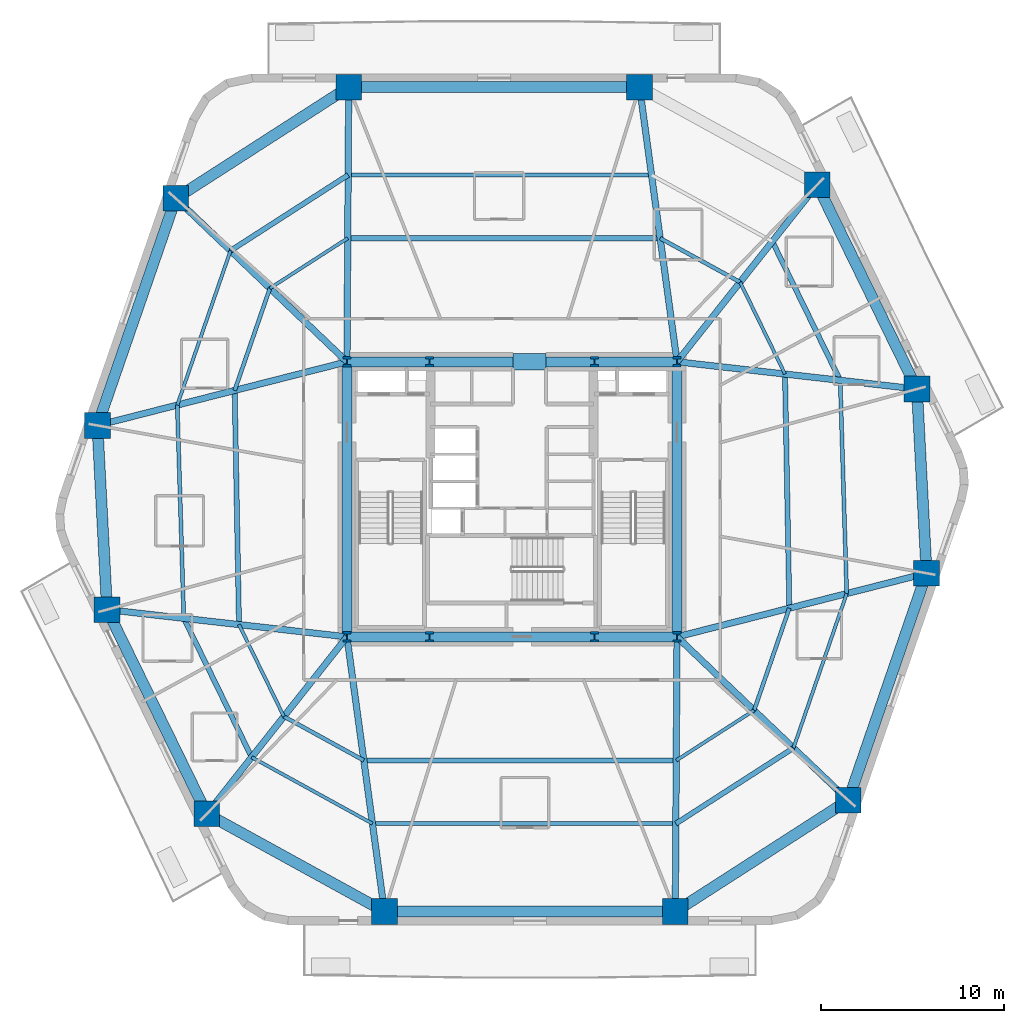
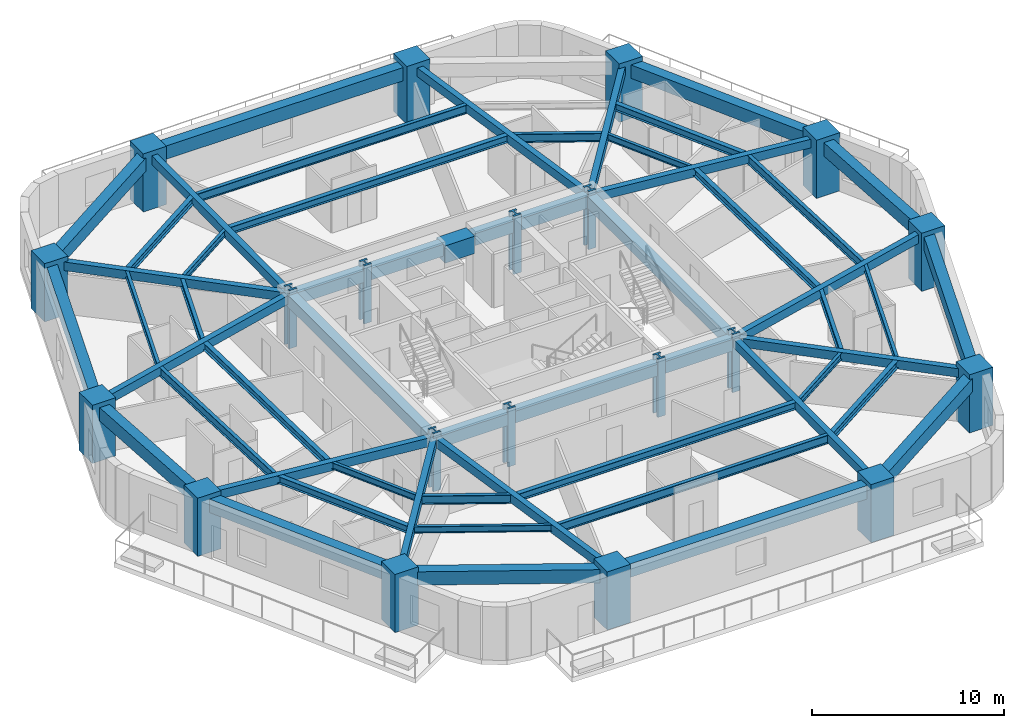
# One storey, part 1 of 9: 55 beams, 20 columns.
"""IFC4 building model written with IfcOpenShell, lengths in metres."""

import ifcopenshell
import ifcopenshell.guid

model = None  # the IFC model being written
_history = None  # IfcOwnerHistory: only IFC2X3 demands one
_inside = {}  # id of a spatial element -> (the spatial element, [elements in it])
_under = {}  # id of a project, library or spatial element -> (it, [spatial elements below it])
_declared = {}  # id of a project -> (the project, [libraries it declares])
_typed = {}  # id of a type object -> (the type object, [elements of that type])
_made_of = {}  # id of a material, layer set ... -> (it, [elements and type objects made of it])


def new_model(schema):
    """Start an empty IFC model of exactly this schema.

    Asked for "IFC4X3", IfcOpenShell would pick the latest addendum, in which some entities
    have other attributes; the version numbers below select the first issue.
    IFC2X3 requires an IfcOwnerHistory on every rooted entity: one is made here for all.
    """
    global model, _history
    if schema == "IFC4X3":
        model = ifcopenshell.file(schema_version=(4, 3, 0, 0))
    else:
        model = ifcopenshell.file(schema=schema)
    _inside.clear()
    _under.clear()
    _declared.clear()
    _typed.clear()
    _made_of.clear()
    _history = None
    if model.schema == "IFC2X3":
        org = make("IfcOrganization", Name="unknown")
        user = make(
            "IfcPersonAndOrganization",
            ThePerson=make("IfcPerson", FamilyName="unknown"),
            TheOrganization=org,
        )
        app = make(
            "IfcApplication",
            ApplicationDeveloper=org,
            Version="unknown",
            ApplicationFullName="unknown",
            ApplicationIdentifier="unknown",
        )
        _history = make(
            "IfcOwnerHistory",
            OwningUser=user,
            OwningApplication=app,
            ChangeAction="ADDED",
            CreationDate=0,
        )
    return model


def make(cls, **values):
    """One entity of the class cls with the attributes given. An attribute that is None is left unset."""
    return model.create_entity(
        cls, **{name: value for name, value in values.items() if value is not None}
    )


def rooted(cls, **values):
    """An entity with a GlobalId (a new one), such as an element, a storey or a relation."""
    return make(cls, GlobalId=ifcopenshell.guid.new(), OwnerHistory=_history, **values)


def si_unit(unit_type, name, prefix=None):
    """IfcSIUnit, for example si_unit("LENGTHUNIT", "METRE", prefix="MILLI")."""
    return make("IfcSIUnit", UnitType=unit_type, Prefix=prefix, Name=name)


def assignment(units):
    """IfcUnitAssignment: the units of a project."""
    return None if units is None else make("IfcUnitAssignment", Units=units)


def point(xyz):
    """IfcCartesianPoint."""
    return None if xyz is None else make("IfcCartesianPoint", Coordinates=xyz)


def direction(xyz):
    """IfcDirection."""
    return None if xyz is None else make("IfcDirection", DirectionRatios=xyz)


def frame(location, z_axis=None, x_axis=None):
    """IfcAxis2Placement3D, a coordinate frame: its origin and axes. An axis left out is left unset."""
    return make(
        "IfcAxis2Placement3D",
        Location=point(location),
        Axis=direction(z_axis),
        RefDirection=direction(x_axis),
    )


def frame_2d(location, x_axis=None):
    """IfcAxis2Placement2D, a coordinate frame in the plane: its origin and x axis."""
    return make(
        "IfcAxis2Placement2D", Location=point(location), RefDirection=direction(x_axis)
    )


def origin():
    """The frame at (0, 0, 0) with its axes left unset."""
    return frame((0.0, 0.0, 0.0))


def origin_2d():
    """The frame at (0, 0) in the plane with its x axis left unset."""
    return frame_2d((0.0, 0.0))


def place(relative_to, where):
    """IfcLocalPlacement: puts the frame where relative to a parent placement (None: the world)."""
    return make(
        "IfcLocalPlacement", PlacementRelTo=relative_to, RelativePlacement=where
    )


def context(
    kind, dimensions, precision=None, world=None, true_north=None, identifier=None
):
    """IfcGeometricRepresentationContext, for example the 3D "Model" context."""
    return make(
        "IfcGeometricRepresentationContext",
        ContextIdentifier=identifier,
        ContextType=kind,
        CoordinateSpaceDimension=dimensions,
        Precision=precision,
        WorldCoordinateSystem=world,
        TrueNorth=true_north,
    )


def subcontext(parent, identifier, kind, view, scale=None):
    """IfcGeometricRepresentationSubContext, for example "Body" below "Model"."""
    return make(
        "IfcGeometricRepresentationSubContext",
        ContextIdentifier=identifier,
        ContextType=kind,
        ParentContext=parent,
        TargetScale=scale,
        TargetView=view,
    )


def project(units=None, contexts=None):
    """IfcProject with its units and contexts."""
    return rooted(
        "IfcProject",
        Name="project",
        RepresentationContexts=contexts,
        UnitsInContext=assignment(units),
    )


def spatial(cls, under=None, at=None, **own):
    """A site, building, storey or space (cls), placed at a placement, below another one or the project."""
    s = rooted(cls, ObjectPlacement=at, **own)
    if under is not None:
        _under.setdefault(under.id(), (under, []))[1].append(s)
    return s


def profile(cls, at=None, kind="AREA", **sizes):
    """A parametric profile (cls). Its sizes go by their IFC names, for example OverallWidth=200.0."""
    return make(cls, ProfileType=kind, Position=at, **sizes)


def rectangle(**sizes):
    """IfcRectangleProfileDef."""
    return profile("IfcRectangleProfileDef", **sizes)


def i_section(**sizes):
    """IfcIShapeProfileDef."""
    return profile("IfcIShapeProfileDef", **sizes)


def extrude(swept, where, along, depth):
    """IfcExtrudedAreaSolid: the profile swept, set in the frame where, extruded along a direction by depth."""
    return make(
        "IfcExtrudedAreaSolid",
        SweptArea=swept,
        Position=where,
        ExtrudedDirection=direction(along),
        Depth=depth,
    )


def shape(context_of_items, identifier, shape_type, items):
    """IfcShapeRepresentation: the items that make up one representation, for example the "Body"."""
    return make(
        "IfcShapeRepresentation",
        ContextOfItems=context_of_items,
        RepresentationIdentifier=identifier,
        RepresentationType=shape_type,
        Items=items,
    )


def material(Name=None, Category=None):
    """IfcMaterial."""
    return make("IfcMaterial", Name=Name, Category=Category)


def material_profile(
    of_material, cross_section, Name=None, Category=None, Priority=None
):
    """IfcMaterialProfile: a cross section and its material."""
    return make(
        "IfcMaterialProfile",
        Name=Name,
        Material=of_material,
        Profile=cross_section,
        Priority=Priority,
        Category=Category,
    )


def profile_set(profiles, Name=None, composite=None):
    """IfcMaterialProfileSet."""
    return make(
        "IfcMaterialProfileSet",
        Name=Name,
        MaterialProfiles=profiles,
        CompositeProfile=composite,
    )


def made_of(thing, what):
    """Note that an element or type object is made of a material, layer set ...; save() writes the relation."""
    if what is not None:
        _made_of.setdefault(what.id(), (what, []))[1].append(thing)
    return thing


def type_object(cls, material=None, **own):
    """A type object (cls), such as IfcWallType, which elements share."""
    return made_of(rooted(cls, **own), material)


def element(
    cls,
    number,
    at=None,
    inside=None,
    cuts=None,
    type_object=None,
    material=None,
    context=None,
    identifier="Body",
    shape_type=None,
    held_by="IfcProductDefinitionShape",
    body=None,
    shapes=None,
    **own,
):
    """One element of the class cls, such as IfcWall. Its Tag is "e" and its number.

    at: its placement. inside: the storey or other place that contains it. cuts: it is an
    opening in that element (IfcRelVoidsElement). A single representation is given by context,
    identifier, shape_type and body (its items); several are given by shapes. held_by: the class
    of the entity that holds the representations. save() writes the other relations.
    """
    e = rooted(cls, Tag="e%d" % number, ObjectPlacement=at, **own)
    if body is not None:
        shapes = [shape(context, identifier, shape_type, body)]
    if shapes is not None:
        e.Representation = make(held_by, Representations=shapes)
    if inside is not None:
        _inside.setdefault(inside.id(), (inside, []))[1].append(e)
    if cuts is not None:
        rooted(
            "IfcRelVoidsElement", RelatingBuildingElement=cuts, RelatedOpeningElement=e
        )
    if type_object is not None:
        _typed.setdefault(type_object.id(), (type_object, []))[1].append(e)
    return made_of(e, material)


def aggregate(whole, parts):
    """IfcRelAggregates: a whole, such as a stair, and the parts it consists of."""
    return rooted("IfcRelAggregates", RelatingObject=whole, RelatedObjects=parts)


def save(model, path):
    """Write the relations noted so far, then the file.

    IfcRelAggregates (storeys below a building ...), IfcRelContainedInSpatialStructure (elements
    in a storey), IfcRelDefinesByType, IfcRelAssociatesMaterial and IfcRelDeclares: one each for
    every whole, place, type object, material and project.
    """
    for whole, parts in _under.values():
        aggregate(whole, parts)
    for where, things in _inside.values():
        rooted(
            "IfcRelContainedInSpatialStructure",
            RelatedElements=things,
            RelatingStructure=where,
        )
    for kind, things in _typed.values():
        rooted("IfcRelDefinesByType", RelatedObjects=things, RelatingType=kind)
    for what, things in _made_of.values():
        rooted("IfcRelAssociatesMaterial", RelatedObjects=things, RelatingMaterial=what)
    for by, libraries in _declared.values():
        rooted("IfcRelDeclares", RelatingContext=by, RelatedDefinitions=libraries)
    model.write(path)


model = new_model("IFC4")

# Units and contexts
model_context = context("Model", 3, precision=1e-05, world=origin(), true_north=direction((0.0, 1.0)))
body_context = subcontext(model_context, "Body", "Model", "MODEL_VIEW")
ifc_project = project(units=[si_unit("LENGTHUNIT", "METRE"), si_unit("AREAUNIT", "SQUARE_METRE"), si_unit("VOLUMEUNIT", "CUBIC_METRE"), si_unit("PLANEANGLEUNIT", "RADIAN"), si_unit("MASSUNIT", "GRAM", prefix="KILO")], contexts=[model_context])

# Site, building, storey
site_placement = place(None, origin())
site = spatial("IfcSite", under=ifc_project, at=site_placement, CompositionType="ELEMENT")
building_placement = place(site_placement, origin())
building = spatial("IfcBuilding", under=site, at=building_placement, Name="Kilnhurst Terrace Hotel", CompositionType="ELEMENT")
storey_placement = place(building_placement, frame((0.0, 0.0, 60.10009765625)))
storey = spatial("IfcBuildingStorey", under=building, at=storey_placement, Name="L13", CompositionType="ELEMENT", Elevation=60.10009765625)

# Columns
ifc_material_1 = material(Name="Concrete C80/95", Category="concrete")
ifc_material_profile_1 = material_profile(ifc_material_1, rectangle(XDim=1.39990234375, YDim=1.39990234375, at=origin_2d()), Name="RC1400X1400")
ifc_profile_set_1 = profile_set([ifc_material_profile_1], Name="Concrete C80/95")
column_type_1 = type_object("IfcColumnType", Name="COL-RC-1400", PredefinedType="COLUMN", material=ifc_profile_set_1)
for number, where, z_axis, x_axis, name in (
    (1, (-6.955078125, -22.47998046875, 0.0), (0.0, 0.0, 1.0), (1.0, 0.0, 0.0), "L13 Structural Column PC-F11"),
    (2, (8.905029296875, -22.47998046875, 0.0), (0.0, 0.0, 1.0), (1.0, 0.0, 0.0), "L13 Structural Column PC-F12"),
    (3, (18.337890625, -16.410888671875, 0.0), (0.0, 0.0, 1.0), (1.0, 0.0, 0.0), "L13 Structural Column PC-F21"),
    (4, (22.60888671875, -4.029052734375, 0.0), (0.0, 0.0, 1.0), (1.0, 0.0, 0.0), "L13 Structural Column PC-F22"),
    (5, (22.083984375, 6.013916015625, 0.0), (0.0, 0.0, 1.0), (1.0, 0.0, 0.0), "L13 Structural Column PC-F31"),
    (6, (16.64306640625, 17.152099609375, 0.0), (0.0, 0.0, 1.0), (1.0, 0.0, 0.0), "L13 Structural Column PC-F32"),
    (7, (6.955078125, 22.47998046875, 0.0), (0.0, 0.0, 1.0), (1.0, 0.0, 0.0), "L13 Structural Column PC-F41"),
    (8, (-8.905029296875, 22.47998046875, 0.0), (0.0, 0.0, 1.0), (1.0, 0.0, 0.0), "L13 Structural Column PC-F42"),
    (9, (-18.337890625, 16.410888671875, 0.0), (0.0, 0.0, 1.0), (1.0, 0.0, 0.0), "L13 Structural Column PC-F51"),
    (10, (-22.60888671875, 4.029052734375, 0.0), (0.0, 0.0, 1.0), (1.0, 0.0, 0.0), "L13 Structural Column PC-F52"),
    (11, (-22.083984375, -6.013916015625, 0.0), (0.0, 0.0, 1.0), (1.0, 0.0, 0.0), "L13 Structural Column PC-F61"),
    (12, (-16.64306640625, -17.152099609375, 0.0), (0.0, 0.0, 1.0), (1.0, 0.0, 0.0), "L13 Structural Column PC-F62"),
):
    element("IfcColumn", number, at=place(storey_placement, frame(where, z_axis=z_axis, x_axis=x_axis)), inside=storey, type_object=column_type_1, Name=name, PredefinedType="COLUMN", context=body_context, shape_type="SweptSolid", body=[
        extrude(rectangle(XDim=1.39990234375, YDim=1.39990234375, at=origin_2d()), origin(), (0.0, 0.0, 1.0), 3.699951171875),
    ])
ifc_material_2 = material(Name="Steel ASTM A992 Grade 50", Category="steel")
ifc_material_profile_2 = material_profile(ifc_material_2, i_section(OverallWidth=0.454345703125, OverallDepth=0.569091796875, WebThickness=0.077880859375, FlangeThickness=0.124755859375, at=origin_2d()), Name="W14X730")
ifc_profile_set_2 = profile_set([ifc_material_profile_2], Name="Steel ASTM A992 Grade 50")
column_type_2 = type_object("IfcColumnType", Name="COL-STL-W14X730", PredefinedType="COLUMN", material=ifc_profile_set_2)
for number, where, z_axis, x_axis, name in (
    (13, (-9.0, -7.5, 0.0), (0.0, 0.0, 1.0), (1.0, 0.0, 0.0), "L13 Structural Column CC-SW"),
    (14, (-4.5, -7.5, 0.0), (0.0, 0.0, 1.0), (1.0, 0.0, 0.0), "L13 Structural Column CC-SC1"),
    (15, (4.5, -7.5, 0.0), (0.0, 0.0, 1.0), (1.0, 0.0, 0.0), "L13 Structural Column CC-SC2"),
    (16, (9.0, -7.5, 0.0), (0.0, 0.0, 1.0), (1.0, 0.0, 0.0), "L13 Structural Column CC-SE"),
    (17, (9.0, 7.5, 0.0), (0.0, 0.0, 1.0), (1.0, 0.0, 0.0), "L13 Structural Column CC-NE"),
    (18, (4.5, 7.5, 0.0), (0.0, 0.0, 1.0), (1.0, 0.0, 0.0), "L13 Structural Column CC-NC2"),
    (19, (-4.5, 7.5, 0.0), (0.0, 0.0, 1.0), (1.0, 0.0, 0.0), "L13 Structural Column CC-NC1"),
    (20, (-9.0, 7.5, 0.0), (0.0, 0.0, 1.0), (1.0, 0.0, 0.0), "L13 Structural Column CC-NW"),
):
    element("IfcColumn", number, at=place(storey_placement, frame(where, z_axis=z_axis, x_axis=x_axis)), inside=storey, type_object=column_type_2, Name=name, PredefinedType="COLUMN", context=body_context, shape_type="SweptSolid", body=[
        extrude(i_section(OverallWidth=0.454345703125, OverallDepth=0.569091796875, WebThickness=0.077880859375, FlangeThickness=0.124755859375, at=origin_2d()), origin(), (0.0, 0.0, 1.0), 3.699951171875),
    ])

# Beams
ifc_material_3 = material(Name="Concrete C50/60", Category="concrete")
ifc_material_profile_3 = material_profile(ifc_material_3, rectangle(XDim=0.35009765625, YDim=0.550048828125, at=origin_2d()), Name="RC350X550")
ifc_profile_set_3 = profile_set([ifc_material_profile_3], Name="Concrete C50/60")
beam_type_1 = type_object("IfcBeamType", Name="BM-RAD-350X550", PredefinedType="BEAM", material=ifc_profile_set_3)
beam_1_placement = place(storey_placement, frame((-9.0, -7.5, 3.125), z_axis=(0.13525588246, -0.990810701527, 0.0), x_axis=(0.990810701527, 0.13525588246, 0.0)))
element("IfcBeam", 21, at=beam_1_placement, inside=storey, type_object=beam_type_1, Name="L13 Radial Floor Beam 1", PredefinedType="BEAM", context=body_context, shape_type="SweptSolid", body=[
    extrude(rectangle(XDim=0.35009765625, YDim=0.550048828125, at=origin_2d()), origin(), (0.0, 0.0, 1.0), 15.118896484375),
])
beam_2_placement = place(storey_placement, frame((9.0, -7.5, 3.125), z_axis=(-0.006339714179, -0.99997990381, 0.0), x_axis=(0.99997990381, -0.006339714179, 0.0)))
element("IfcBeam", 22, at=beam_2_placement, inside=storey, type_object=beam_type_1, Name="L13 Radial Floor Beam 2", PredefinedType="BEAM", context=body_context, shape_type="SweptSolid", body=[
    extrude(rectangle(XDim=0.35009765625, YDim=0.550048828125, at=origin_2d()), origin(), (0.0, 0.0, 1.0), 14.980224609375),
])
beam_3_placement = place(storey_placement, frame((9.0, -7.5, 3.125), z_axis=(0.723454302813, -0.690372270403, 0.0), x_axis=(0.690372270403, 0.723454302813, 0.0)))
element("IfcBeam", 23, at=beam_3_placement, inside=storey, type_object=beam_type_1, Name="L13 Radial Floor Beam 3", PredefinedType="BEAM", context=body_context, shape_type="SweptSolid", body=[
    extrude(rectangle(XDim=0.35009765625, YDim=0.550048828125, at=origin_2d()), origin(), (0.0, 0.0, 1.0), 12.907470703125),
])
beam_4_placement = place(storey_placement, frame((9.0, -7.5, 3.125), z_axis=(0.968980179812, 0.247138445273, 0.0), x_axis=(-0.247138445273, 0.968980179812, 0.0)))
element("IfcBeam", 24, at=beam_4_placement, inside=storey, type_object=beam_type_1, Name="L13 Radial Floor Beam 4", PredefinedType="BEAM", context=body_context, shape_type="SweptSolid", body=[
    extrude(rectangle(XDim=0.35009765625, YDim=0.550048828125, at=origin_2d()), origin(), (0.0, 0.0, 1.0), 14.04443359375),
])
beam_5_placement = place(storey_placement, frame((9.0, 7.5, 3.125), z_axis=(0.993611493249, -0.112854776075, 0.0), x_axis=(0.112854776075, 0.993611493249, 0.0)))
element("IfcBeam", 25, at=beam_5_placement, inside=storey, type_object=beam_type_1, Name="L13 Radial Floor Beam 5", PredefinedType="BEAM", context=body_context, shape_type="SweptSolid", body=[
    extrude(rectangle(XDim=0.35009765625, YDim=0.550048828125, at=origin_2d()), origin(), (0.0, 0.0, 1.0), 13.168212890625),
])
beam_6_placement = place(storey_placement, frame((9.0, 7.5, 3.125), z_axis=(0.62079385707, 0.783973843329, 0.0), x_axis=(-0.783973843329, 0.62079385707, 0.0)))
element("IfcBeam", 26, at=beam_6_placement, inside=storey, type_object=beam_type_1, Name="L13 Radial Floor Beam 6", PredefinedType="BEAM", context=body_context, shape_type="SweptSolid", body=[
    extrude(rectangle(XDim=0.35009765625, YDim=0.550048828125, at=origin_2d()), origin(), (0.0, 0.0, 1.0), 12.311767578125),
])
beam_7_placement = place(storey_placement, frame((9.0, 7.5, 3.125), z_axis=(-0.13525588246, 0.990810701527, 0.0), x_axis=(-0.990810701527, -0.13525588246, 0.0)))
element("IfcBeam", 27, at=beam_7_placement, inside=storey, type_object=beam_type_1, Name="L13 Radial Floor Beam 7", PredefinedType="BEAM", context=body_context, shape_type="SweptSolid", body=[
    extrude(rectangle(XDim=0.35009765625, YDim=0.550048828125, at=origin_2d()), origin(), (0.0, 0.0, 1.0), 15.118896484375),
])
beam_8_placement = place(storey_placement, frame((-9.0, 7.5, 3.125), z_axis=(0.006339714179, 0.99997990381, 0.0), x_axis=(-0.99997990381, 0.006339714179, 0.0)))
element("IfcBeam", 28, at=beam_8_placement, inside=storey, type_object=beam_type_1, Name="L13 Radial Floor Beam 8", PredefinedType="BEAM", context=body_context, shape_type="SweptSolid", body=[
    extrude(rectangle(XDim=0.35009765625, YDim=0.550048828125, at=origin_2d()), origin(), (0.0, 0.0, 1.0), 14.980224609375),
])
beam_9_placement = place(storey_placement, frame((-9.0, 7.5, 3.125), z_axis=(-0.723454302813, 0.690372270403, 0.0), x_axis=(-0.690372270403, -0.723454302813, 0.0)))
element("IfcBeam", 29, at=beam_9_placement, inside=storey, type_object=beam_type_1, Name="L13 Radial Floor Beam 9", PredefinedType="BEAM", context=body_context, shape_type="SweptSolid", body=[
    extrude(rectangle(XDim=0.35009765625, YDim=0.550048828125, at=origin_2d()), origin(), (0.0, 0.0, 1.0), 12.907470703125),
])
beam_10_placement = place(storey_placement, frame((-9.0, 7.5, 3.125), z_axis=(-0.968980179812, -0.247138445273, 0.0), x_axis=(0.247138445273, -0.968980179812, 0.0)))
element("IfcBeam", 30, at=beam_10_placement, inside=storey, type_object=beam_type_1, Name="L13 Radial Floor Beam 10", PredefinedType="BEAM", context=body_context, shape_type="SweptSolid", body=[
    extrude(rectangle(XDim=0.35009765625, YDim=0.550048828125, at=origin_2d()), origin(), (0.0, 0.0, 1.0), 14.04443359375),
])
beam_11_placement = place(storey_placement, frame((-9.0, -7.5, 3.125), z_axis=(-0.993611493249, 0.112854776075, 0.0), x_axis=(-0.112854776075, -0.993611493249, 0.0)))
element("IfcBeam", 31, at=beam_11_placement, inside=storey, type_object=beam_type_1, Name="L13 Radial Floor Beam 11", PredefinedType="BEAM", context=body_context, shape_type="SweptSolid", body=[
    extrude(rectangle(XDim=0.35009765625, YDim=0.550048828125, at=origin_2d()), origin(), (0.0, 0.0, 1.0), 13.168212890625),
])
beam_12_placement = place(storey_placement, frame((-9.0, -7.5, 3.125), z_axis=(-0.62079385707, -0.783973843329, 0.0), x_axis=(0.783973843329, -0.62079385707, 0.0)))
element("IfcBeam", 32, at=beam_12_placement, inside=storey, type_object=beam_type_1, Name="L13 Radial Floor Beam 12", PredefinedType="BEAM", context=body_context, shape_type="SweptSolid", body=[
    extrude(rectangle(XDim=0.35009765625, YDim=0.550048828125, at=origin_2d()), origin(), (0.0, 0.0, 1.0), 12.311767578125),
])
ifc_material_profile_4 = material_profile(ifc_material_3, rectangle(XDim=0.550048828125, YDim=0.75, at=origin_2d()), Name="RC550X750")
ifc_profile_set_4 = profile_set([ifc_material_profile_4], Name="Concrete C50/60")
beam_type_2 = type_object("IfcBeamType", Name="BM-SPN-550X750", PredefinedType="SPANDREL", material=ifc_profile_set_4)
beam_13_placement = place(storey_placement, frame((-9.0, 7.5, 3.02490234375), z_axis=(1.0, 0.0, 0.0), x_axis=(0.0, 1.0, 0.0)))
element("IfcBeam", 33, at=beam_13_placement, inside=storey, type_object=beam_type_2, Name="L13 Core Tie Beam CC-NW to CC-NC1", PredefinedType="SPANDREL", context=body_context, shape_type="SweptSolid", body=[
    extrude(rectangle(XDim=0.550048828125, YDim=0.75, at=origin_2d()), origin(), (0.0, 0.0, 1.0), 4.5),
])
beam_14_placement = place(storey_placement, frame((-4.5, 7.5, 3.02490234375), z_axis=(1.0, 0.0, 0.0), x_axis=(0.0, 1.0, 0.0)))
element("IfcBeam", 34, at=beam_14_placement, inside=storey, type_object=beam_type_2, Name="L13 Core Tie Beam CC-NC1 to CC-NC2", PredefinedType="SPANDREL", context=body_context, shape_type="SweptSolid", body=[
    extrude(rectangle(XDim=0.550048828125, YDim=0.75, at=origin_2d()), origin(), (0.0, 0.0, 1.0), 9.0),
])
for number, where, z_axis, x_axis, name in (
    (35, (4.5, 7.5, 3.02490234375), (1.0, 0.0, 0.0), (0.0, 1.0, 0.0), "L13 Core Tie Beam CC-NC2 to CC-NE"),
    (36, (-9.0, -7.5, 3.02490234375), (1.0, 0.0, 0.0), (0.0, 1.0, 0.0), "L13 Core Tie Beam CC-SW to CC-SC1"),
):
    element("IfcBeam", number, at=place(storey_placement, frame(where, z_axis=z_axis, x_axis=x_axis)), inside=storey, type_object=beam_type_2, Name=name, PredefinedType="SPANDREL", context=body_context, shape_type="SweptSolid", body=[
        extrude(rectangle(XDim=0.550048828125, YDim=0.75, at=origin_2d()), origin(), (0.0, 0.0, 1.0), 4.5),
    ])
beam_15_placement = place(storey_placement, frame((-4.5, -7.5, 3.02490234375), z_axis=(1.0, 0.0, 0.0), x_axis=(0.0, 1.0, 0.0)))
element("IfcBeam", 37, at=beam_15_placement, inside=storey, type_object=beam_type_2, Name="L13 Core Tie Beam CC-SC1 to CC-SC2", PredefinedType="SPANDREL", context=body_context, shape_type="SweptSolid", body=[
    extrude(rectangle(XDim=0.550048828125, YDim=0.75, at=origin_2d()), origin(), (0.0, 0.0, 1.0), 9.0),
])
beam_16_placement = place(storey_placement, frame((4.5, -7.5, 3.02490234375), z_axis=(1.0, 0.0, 0.0), x_axis=(0.0, 1.0, 0.0)))
element("IfcBeam", 38, at=beam_16_placement, inside=storey, type_object=beam_type_2, Name="L13 Core Tie Beam CC-SC2 to CC-SE", PredefinedType="SPANDREL", context=body_context, shape_type="SweptSolid", body=[
    extrude(rectangle(XDim=0.550048828125, YDim=0.75, at=origin_2d()), origin(), (0.0, 0.0, 1.0), 4.5),
])
for number, where, z_axis, x_axis, name in (
    (39, (-9.0, -7.5, 3.02490234375), (0.0, 1.0, 0.0), (-1.0, 0.0, 0.0), "L13 Core Tie Beam CC-SW to CC-NW"),
    (40, (9.0, -7.5, 3.02490234375), (0.0, 1.0, 0.0), (-1.0, 0.0, 0.0), "L13 Core Tie Beam CC-SE to CC-NE"),
):
    element("IfcBeam", number, at=place(storey_placement, frame(where, z_axis=z_axis, x_axis=x_axis)), inside=storey, type_object=beam_type_2, Name=name, PredefinedType="SPANDREL", context=body_context, shape_type="SweptSolid", body=[
        extrude(rectangle(XDim=0.550048828125, YDim=0.75, at=origin_2d()), origin(), (0.0, 0.0, 1.0), 15.0),
    ])
ifc_material_profile_5 = material_profile(ifc_material_3, rectangle(XDim=0.60009765625, YDim=0.85009765625, at=origin_2d()), Name="RC600X850")
ifc_profile_set_5 = profile_set([ifc_material_profile_5], Name="Concrete C50/60")
beam_type_3 = type_object("IfcBeamType", Name="BM-SPN-600X850", PredefinedType="SPANDREL", material=ifc_profile_set_5)
beam_17_placement = place(storey_placement, frame((-6.955078125, -22.47998046875, 2.974853515625), z_axis=(1.0, 0.0, 0.0), x_axis=(0.0, 1.0, 0.0)))
element("IfcBeam", 41, at=beam_17_placement, inside=storey, type_object=beam_type_3, Name="L13 Perimeter Spandrel Beam 1", PredefinedType="SPANDREL", context=body_context, shape_type="SweptSolid", body=[
    extrude(rectangle(XDim=0.60009765625, YDim=0.85009765625, at=origin_2d()), origin(), (0.0, 0.0, 1.0), 15.860107421875),
])
beam_18_placement = place(storey_placement, frame((8.905029296875, -22.47998046875, 2.974853515625), z_axis=(0.840971204873, 0.541079876335, 0.0), x_axis=(-0.541079876335, 0.840971204873, 0.0)))
element("IfcBeam", 42, at=beam_18_placement, inside=storey, type_object=beam_type_3, Name="L13 Perimeter Spandrel Beam 2", PredefinedType="SPANDREL", context=body_context, shape_type="SweptSolid", body=[
    extrude(rectangle(XDim=0.60009765625, YDim=0.85009765625, at=origin_2d()), origin(), (0.0, 0.0, 1.0), 11.216552734375),
])
beam_19_placement = place(storey_placement, frame((18.337890625, -16.410888671875, 2.974853515625), z_axis=(0.326086040191, 0.945340094565, 0.0), x_axis=(-0.945340094565, 0.326086040191, 0.0)))
element("IfcBeam", 43, at=beam_19_placement, inside=storey, type_object=beam_type_3, Name="L13 Perimeter Spandrel Beam 3", PredefinedType="SPANDREL", context=body_context, shape_type="SweptSolid", body=[
    extrude(rectangle(XDim=0.60009765625, YDim=0.85009765625, at=origin_2d()), origin(), (0.0, 0.0, 1.0), 13.09765625),
])
beam_20_placement = place(storey_placement, frame((22.60888671875, -4.029052734375, 2.974853515625), z_axis=(-0.052194414298, 0.998636942595, 0.0), x_axis=(-0.998636942595, -0.052194414298, 0.0)))
element("IfcBeam", 44, at=beam_20_placement, inside=storey, type_object=beam_type_3, Name="L13 Perimeter Spandrel Beam 4", PredefinedType="SPANDREL", context=body_context, shape_type="SweptSolid", body=[
    extrude(rectangle(XDim=0.60009765625, YDim=0.85009765625, at=origin_2d()), origin(), (0.0, 0.0, 1.0), 10.056640625),
])
beam_21_placement = place(storey_placement, frame((22.083984375, 6.013916015625, 2.974853515625), z_axis=(-0.438922573627, 0.898524888003, 0.0), x_axis=(-0.898524888003, -0.438922573627, 0.0)))
element("IfcBeam", 45, at=beam_21_placement, inside=storey, type_object=beam_type_3, Name="L13 Perimeter Spandrel Beam 5", PredefinedType="SPANDREL", context=body_context, shape_type="SweptSolid", body=[
    extrude(rectangle(XDim=0.60009765625, YDim=0.85009765625, at=origin_2d()), origin(), (0.0, 0.0, 1.0), 12.39599609375),
])
beam_22_placement = place(storey_placement, frame((6.955078125, 22.47998046875, 2.974853515625), z_axis=(-1.0, 0.0, 0.0), x_axis=(0.0, -1.0, 0.0)))
element("IfcBeam", 46, at=beam_22_placement, inside=storey, type_object=beam_type_3, Name="L13 Perimeter Spandrel Beam 7", PredefinedType="SPANDREL", context=body_context, shape_type="SweptSolid", body=[
    extrude(rectangle(XDim=0.60009765625, YDim=0.85009765625, at=origin_2d()), origin(), (0.0, 0.0, 1.0), 15.860107421875),
])
beam_23_placement = place(storey_placement, frame((-8.905029296875, 22.47998046875, 2.974853515625), z_axis=(-0.840971204873, -0.541079876335, 0.0), x_axis=(0.541079876335, -0.840971204873, 0.0)))
element("IfcBeam", 47, at=beam_23_placement, inside=storey, type_object=beam_type_3, Name="L13 Perimeter Spandrel Beam 8", PredefinedType="SPANDREL", context=body_context, shape_type="SweptSolid", body=[
    extrude(rectangle(XDim=0.60009765625, YDim=0.85009765625, at=origin_2d()), origin(), (0.0, 0.0, 1.0), 11.216552734375),
])
beam_24_placement = place(storey_placement, frame((-18.337890625, 16.410888671875, 2.974853515625), z_axis=(-0.326086040191, -0.945340094565, 0.0), x_axis=(0.945340094565, -0.326086040191, 0.0)))
element("IfcBeam", 48, at=beam_24_placement, inside=storey, type_object=beam_type_3, Name="L13 Perimeter Spandrel Beam 9", PredefinedType="SPANDREL", context=body_context, shape_type="SweptSolid", body=[
    extrude(rectangle(XDim=0.60009765625, YDim=0.85009765625, at=origin_2d()), origin(), (0.0, 0.0, 1.0), 13.09765625),
])
beam_25_placement = place(storey_placement, frame((-22.60888671875, 4.029052734375, 2.974853515625), z_axis=(0.052194414298, -0.998636942595, 0.0), x_axis=(0.998636942595, 0.052194414298, 0.0)))
element("IfcBeam", 49, at=beam_25_placement, inside=storey, type_object=beam_type_3, Name="L13 Perimeter Spandrel Beam 10", PredefinedType="SPANDREL", context=body_context, shape_type="SweptSolid", body=[
    extrude(rectangle(XDim=0.60009765625, YDim=0.85009765625, at=origin_2d()), origin(), (0.0, 0.0, 1.0), 10.056640625),
])
beam_26_placement = place(storey_placement, frame((-22.083984375, -6.013916015625, 2.974853515625), z_axis=(0.438922573627, -0.898524888003, 0.0), x_axis=(0.898524888003, 0.438922573627, 0.0)))
element("IfcBeam", 50, at=beam_26_placement, inside=storey, type_object=beam_type_3, Name="L13 Perimeter Spandrel Beam 11", PredefinedType="SPANDREL", context=body_context, shape_type="SweptSolid", body=[
    extrude(rectangle(XDim=0.60009765625, YDim=0.85009765625, at=origin_2d()), origin(), (0.0, 0.0, 1.0), 12.39599609375),
])
beam_27_placement = place(storey_placement, frame((-16.64306640625, -17.152099609375, 2.974853515625), z_axis=(0.876235488803, -0.481883147829, 0.0), x_axis=(0.481883147829, 0.876235488803, 0.0)))
element("IfcBeam", 51, at=beam_27_placement, inside=storey, type_object=beam_type_3, Name="L13 Perimeter Spandrel Beam 12", PredefinedType="SPANDREL", context=body_context, shape_type="SweptSolid", body=[
    extrude(rectangle(XDim=0.60009765625, YDim=0.85009765625, at=origin_2d()), origin(), (0.0, 0.0, 1.0), 11.056396484375),
])
ifc_material_profile_6 = material_profile(ifc_material_2, i_section(OverallWidth=0.180908203125, OverallDepth=0.417236328125, WebThickness=0.010986328125, FlangeThickness=0.018310546875, at=origin_2d()), Name="W16X57")
ifc_profile_set_6 = profile_set([ifc_material_profile_6], Name="Steel ASTM A992 Grade 50")
beam_type_4 = type_object("IfcBeamType", Name="JST-STL-W16X57", PredefinedType="JOIST", material=ifc_profile_set_6)
for number, where, z_axis, x_axis, name in (
    (52, (15.349853515625, -13.5595703125, 3.19091796875), (0.326078536201, 0.945342682961, 0.0), (-0.945342682961, 0.326078536201, 0.0), "L13 Secondary Floor Steel Joist OUT.3"),
    (53, (-15.349853515625, 13.5595703125, 3.19091796875), (-0.326078536201, -0.945342682961, 0.0), (0.945342682961, -0.326078536201, 0.0), "L13 Secondary Floor Steel Joist OUT.9"),
):
    element("IfcBeam", number, at=place(storey_placement, frame(where, z_axis=z_axis, x_axis=x_axis)), inside=storey, type_object=beam_type_4, Name=name, PredefinedType="JOIST", context=body_context, shape_type="SweptSolid", body=[
        extrude(i_section(OverallWidth=0.180908203125, OverallDepth=0.417236328125, WebThickness=0.010986328125, FlangeThickness=0.018310546875, at=origin_2d()), origin(), (0.0, 0.0, 1.0), 8.90673828125),
    ])
beam_28_placement = place(storey_placement, frame((-14.197265625, -14.0634765625, 3.19091796875), z_axis=(0.876246073632, -0.481863900334, 0.0), x_axis=(0.481863900334, 0.876246073632, 0.0)))
element("IfcBeam", 54, at=beam_28_placement, inside=storey, type_object=beam_type_4, Name="L13 Secondary Floor Steel Joist OUT.12", PredefinedType="JOIST", context=body_context, shape_type="SweptSolid", body=[
    extrude(i_section(OverallWidth=0.180908203125, OverallDepth=0.417236328125, WebThickness=0.010986328125, FlangeThickness=0.018310546875, at=origin_2d()), origin(), (0.0, 0.0, 1.0), 7.518310546875),
])
beam_29_placement = place(storey_placement, frame((8.957275390625, -14.240966796875, 3.19091796875), z_axis=(0.840988265896, 0.541053358389, 0.0), x_axis=(-0.541053358389, 0.840988265896, 0.0)))
element("IfcBeam", 55, at=beam_29_placement, inside=storey, type_object=beam_type_4, Name="L13 Secondary Floor Steel Joist IN.2", PredefinedType="JOIST", context=body_context, shape_type="SweptSolid", body=[
    extrude(i_section(OverallWidth=0.180908203125, OverallDepth=0.417236328125, WebThickness=0.010986328125, FlangeThickness=0.018310546875, at=origin_2d()), origin(), (0.0, 0.0, 1.0), 5.04736328125),
])
beam_30_placement = place(storey_placement, frame((14.8876953125, 6.831298828125, 3.19091796875), z_axis=(-0.438896112695, 0.898537813484, 0.0), x_axis=(-0.898537813484, -0.438896112695, 0.0)))
element("IfcBeam", 56, at=beam_30_placement, inside=storey, type_object=beam_type_4, Name="L13 Secondary Floor Steel Joist IN.5", PredefinedType="JOIST", context=body_context, shape_type="SweptSolid", body=[
    extrude(i_section(OverallWidth=0.180908203125, OverallDepth=0.417236328125, WebThickness=0.010986328125, FlangeThickness=0.018310546875, at=origin_2d()), origin(), (0.0, 0.0, 1.0), 5.578125),
])
beam_31_placement = place(storey_placement, frame((-8.957275390625, 14.240966796875, 3.19091796875), z_axis=(-0.840988265896, -0.541053358389, 0.0), x_axis=(0.541053358389, -0.840988265896, 0.0)))
element("IfcBeam", 57, at=beam_31_placement, inside=storey, type_object=beam_type_4, Name="L13 Secondary Floor Steel Joist IN.8", PredefinedType="JOIST", context=body_context, shape_type="SweptSolid", body=[
    extrude(i_section(OverallWidth=0.180908203125, OverallDepth=0.417236328125, WebThickness=0.010986328125, FlangeThickness=0.018310546875, at=origin_2d()), origin(), (0.0, 0.0, 1.0), 5.04736328125),
])
beam_32_placement = place(storey_placement, frame((-14.8876953125, -6.831298828125, 3.19091796875), z_axis=(0.438896112695, -0.898537813484, 0.0), x_axis=(0.898537813484, 0.438896112695, 0.0)))
element("IfcBeam", 58, at=beam_32_placement, inside=storey, type_object=beam_type_4, Name="L13 Secondary Floor Steel Joist IN.11", PredefinedType="JOIST", context=body_context, shape_type="SweptSolid", body=[
    extrude(i_section(OverallWidth=0.180908203125, OverallDepth=0.417236328125, WebThickness=0.010986328125, FlangeThickness=0.018310546875, at=origin_2d()), origin(), (0.0, 0.0, 1.0), 5.578125),
])
ifc_material_profile_7 = material_profile(ifc_material_2, i_section(OverallWidth=0.279296875, OverallDepth=0.462890625, WebThickness=0.0107421875, FlangeThickness=0.017333984375, at=origin_2d()), Name="W18X76")
ifc_profile_set_7 = profile_set([ifc_material_profile_7], Name="Steel ASTM A992 Grade 50")
beam_type_5 = type_object("IfcBeamType", Name="JST-STL-W18X76", PredefinedType="JOIST", material=ifc_profile_set_7)
beam_33_placement = place(storey_placement, frame((8.935302734375, -17.686279296875, 3.16796875), z_axis=(0.840995388529, 0.54104228714, 0.0), x_axis=(-0.54104228714, 0.840995388529, 0.0)))
element("IfcBeam", 59, at=beam_33_placement, inside=storey, type_object=beam_type_5, Name="L13 Secondary Floor Steel Joist OUT.2", PredefinedType="JOIST", context=body_context, shape_type="SweptSolid", body=[
    extrude(i_section(OverallWidth=0.279296875, OverallDepth=0.462890625, WebThickness=0.0107421875, FlangeThickness=0.017333984375, at=origin_2d()), origin(), (0.0, 0.0, 1.0), 7.62744140625),
])
beam_34_placement = place(storey_placement, frame((17.897216796875, 6.489501953125, 3.16796875), z_axis=(-0.438934275949, 0.898519171413, 0.0), x_axis=(-0.898519171413, -0.438934275949, 0.0)))
element("IfcBeam", 60, at=beam_34_placement, inside=storey, type_object=beam_type_5, Name="L13 Secondary Floor Steel Joist OUT.5", PredefinedType="JOIST", context=body_context, shape_type="SweptSolid", body=[
    extrude(i_section(OverallWidth=0.279296875, OverallDepth=0.462890625, WebThickness=0.0107421875, FlangeThickness=0.017333984375, at=origin_2d()), origin(), (0.0, 0.0, 1.0), 8.429443359375),
])
beam_35_placement = place(storey_placement, frame((-8.935302734375, 17.686279296875, 3.16796875), z_axis=(-0.840995388529, -0.54104228714, 0.0), x_axis=(0.54104228714, -0.840995388529, 0.0)))
element("IfcBeam", 61, at=beam_35_placement, inside=storey, type_object=beam_type_5, Name="L13 Secondary Floor Steel Joist OUT.8", PredefinedType="JOIST", context=body_context, shape_type="SweptSolid", body=[
    extrude(i_section(OverallWidth=0.279296875, OverallDepth=0.462890625, WebThickness=0.0107421875, FlangeThickness=0.017333984375, at=origin_2d()), origin(), (0.0, 0.0, 1.0), 7.62744140625),
])
beam_36_placement = place(storey_placement, frame((-17.897216796875, -6.489501953125, 3.16796875), z_axis=(0.438934275949, -0.898519171413, 0.0), x_axis=(0.898519171413, 0.438934275949, 0.0)))
element("IfcBeam", 62, at=beam_36_placement, inside=storey, type_object=beam_type_5, Name="L13 Secondary Floor Steel Joist OUT.11", PredefinedType="JOIST", context=body_context, shape_type="SweptSolid", body=[
    extrude(i_section(OverallWidth=0.279296875, OverallDepth=0.462890625, WebThickness=0.0107421875, FlangeThickness=0.017333984375, at=origin_2d()), origin(), (0.0, 0.0, 1.0), 8.429443359375),
])
beam_37_placement = place(storey_placement, frame((-8.079833984375, -14.240966796875, 3.16796875), z_axis=(1.0, 0.0, 0.0), x_axis=(0.0, 1.0, 0.0)))
element("IfcBeam", 63, at=beam_37_placement, inside=storey, type_object=beam_type_5, Name="L13 Secondary Floor Steel Joist IN.1", PredefinedType="JOIST", context=body_context, shape_type="SweptSolid", body=[
    extrude(i_section(OverallWidth=0.279296875, OverallDepth=0.462890625, WebThickness=0.0107421875, FlangeThickness=0.017333984375, at=origin_2d()), origin(), (0.0, 0.0, 1.0), 17.037109375),
])
beam_38_placement = place(storey_placement, frame((15.1240234375, -5.93798828125, 3.16796875), z_axis=(-0.018504373716, 0.999828779418, 0.0), x_axis=(-0.999828779418, -0.018504373716, 0.0)))
element("IfcBeam", 64, at=beam_38_placement, inside=storey, type_object=beam_type_5, Name="L13 Secondary Floor Steel Joist IN.4", PredefinedType="JOIST", context=body_context, shape_type="SweptSolid", body=[
    extrude(i_section(OverallWidth=0.279296875, OverallDepth=0.462890625, WebThickness=0.0107421875, FlangeThickness=0.017333984375, at=origin_2d()), origin(), (0.0, 0.0, 1.0), 12.771484375),
])
beam_39_placement = place(storey_placement, frame((8.079833984375, 14.240966796875, 3.16796875), z_axis=(-1.0, 0.0, 0.0), x_axis=(0.0, -1.0, 0.0)))
element("IfcBeam", 65, at=beam_39_placement, inside=storey, type_object=beam_type_5, Name="L13 Secondary Floor Steel Joist IN.7", PredefinedType="JOIST", context=body_context, shape_type="SweptSolid", body=[
    extrude(i_section(OverallWidth=0.279296875, OverallDepth=0.462890625, WebThickness=0.0107421875, FlangeThickness=0.017333984375, at=origin_2d()), origin(), (0.0, 0.0, 1.0), 17.037109375),
])
beam_40_placement = place(storey_placement, frame((-15.1240234375, 5.93798828125, 3.16796875), z_axis=(0.018504373716, -0.999828779418, 0.0), x_axis=(0.999828779418, 0.018504373716, 0.0)))
element("IfcBeam", 66, at=beam_40_placement, inside=storey, type_object=beam_type_5, Name="L13 Secondary Floor Steel Joist IN.10", PredefinedType="JOIST", context=body_context, shape_type="SweptSolid", body=[
    extrude(i_section(OverallWidth=0.279296875, OverallDepth=0.462890625, WebThickness=0.0107421875, FlangeThickness=0.017333984375, at=origin_2d()), origin(), (0.0, 0.0, 1.0), 12.771484375),
])
ifc_material_profile_8 = material_profile(ifc_material_2, i_section(OverallWidth=0.2138671875, OverallDepth=0.549072265625, WebThickness=0.0146484375, FlangeThickness=0.023681640625, at=origin_2d()), Name="W21X93")
ifc_profile_set_8 = profile_set([ifc_material_profile_8], Name="Steel ASTM A992 Grade 50")
beam_type_6 = type_object("IfcBeamType", Name="JST-STL-W21X93", PredefinedType="JOIST", material=ifc_profile_set_8)
beam_41_placement = place(storey_placement, frame((-7.609375, -17.686279296875, 3.125), z_axis=(1.0, 0.0, 0.0), x_axis=(0.0, 1.0, 0.0)))
element("IfcBeam", 67, at=beam_41_placement, inside=storey, type_object=beam_type_6, Name="L13 Secondary Floor Steel Joist OUT.1", PredefinedType="JOIST", context=body_context, shape_type="SweptSolid", body=[
    extrude(i_section(OverallWidth=0.2138671875, OverallDepth=0.549072265625, WebThickness=0.0146484375, FlangeThickness=0.023681640625, at=origin_2d()), origin(), (0.0, 0.0, 1.0), 16.544677734375),
])
beam_42_placement = place(storey_placement, frame((18.254150390625, -5.1396484375, 3.125), z_axis=(-0.030678559818, 0.999529302206, 0.0), x_axis=(-0.999529302206, -0.030678559818, 0.0)))
element("IfcBeam", 68, at=beam_42_placement, inside=storey, type_object=beam_type_6, Name="L13 Secondary Floor Steel Joist OUT.4", PredefinedType="JOIST", context=body_context, shape_type="SweptSolid", body=[
    extrude(i_section(OverallWidth=0.2138671875, OverallDepth=0.549072265625, WebThickness=0.0146484375, FlangeThickness=0.023681640625, at=origin_2d()), origin(), (0.0, 0.0, 1.0), 11.634521484375),
])
beam_43_placement = place(storey_placement, frame((7.609375, 17.686279296875, 3.125), z_axis=(-1.0, 0.0, 0.0), x_axis=(0.0, -1.0, 0.0)))
element("IfcBeam", 69, at=beam_43_placement, inside=storey, type_object=beam_type_6, Name="L13 Secondary Floor Steel Joist OUT.7", PredefinedType="JOIST", context=body_context, shape_type="SweptSolid", body=[
    extrude(i_section(OverallWidth=0.2138671875, OverallDepth=0.549072265625, WebThickness=0.0146484375, FlangeThickness=0.023681640625, at=origin_2d()), origin(), (0.0, 0.0, 1.0), 16.544677734375),
])
beam_44_placement = place(storey_placement, frame((-18.254150390625, 5.1396484375, 3.125), z_axis=(0.030678559818, -0.999529302206, 0.0), x_axis=(0.999529302206, 0.030678559818, 0.0)))
element("IfcBeam", 70, at=beam_44_placement, inside=storey, type_object=beam_type_6, Name="L13 Secondary Floor Steel Joist OUT.10", PredefinedType="JOIST", context=body_context, shape_type="SweptSolid", body=[
    extrude(i_section(OverallWidth=0.2138671875, OverallDepth=0.549072265625, WebThickness=0.0146484375, FlangeThickness=0.023681640625, at=origin_2d()), origin(), (0.0, 0.0, 1.0), 11.634521484375),
])
beam_45_placement = place(storey_placement, frame((13.2021484375, -11.510009765625, 3.125), z_axis=(0.326064720391, 0.945347448358, 0.0), x_axis=(-0.945347448358, 0.326064720391, 0.0)))
element("IfcBeam", 71, at=beam_45_placement, inside=storey, type_object=beam_type_6, Name="L13 Secondary Floor Steel Joist IN.3", PredefinedType="JOIST", context=body_context, shape_type="SweptSolid", body=[
    extrude(i_section(OverallWidth=0.2138671875, OverallDepth=0.549072265625, WebThickness=0.0146484375, FlangeThickness=0.023681640625, at=origin_2d()), origin(), (0.0, 0.0, 1.0), 5.89404296875),
])
beam_46_placement = place(storey_placement, frame((12.439453125, 11.843505859375, 3.125), z_axis=(-0.876243879955, 0.481867889408, 0.0), x_axis=(-0.481867889408, -0.876243879955, 0.0)))
element("IfcBeam", 72, at=beam_46_placement, inside=storey, type_object=beam_type_6, Name="L13 Secondary Floor Steel Joist IN.6", PredefinedType="JOIST", context=body_context, shape_type="SweptSolid", body=[
    extrude(i_section(OverallWidth=0.2138671875, OverallDepth=0.549072265625, WebThickness=0.0146484375, FlangeThickness=0.023681640625, at=origin_2d()), origin(), (0.0, 0.0, 1.0), 4.975341796875),
])
beam_47_placement = place(storey_placement, frame((-13.2021484375, 11.510009765625, 3.125), z_axis=(-0.326064720391, -0.945347448358, 0.0), x_axis=(0.945347448358, -0.326064720391, 0.0)))
element("IfcBeam", 73, at=beam_47_placement, inside=storey, type_object=beam_type_6, Name="L13 Secondary Floor Steel Joist IN.9", PredefinedType="JOIST", context=body_context, shape_type="SweptSolid", body=[
    extrude(i_section(OverallWidth=0.2138671875, OverallDepth=0.549072265625, WebThickness=0.0146484375, FlangeThickness=0.023681640625, at=origin_2d()), origin(), (0.0, 0.0, 1.0), 5.89404296875),
])
beam_48_placement = place(storey_placement, frame((-12.439453125, -11.843505859375, 3.125), z_axis=(0.876243879955, -0.481867889408, 0.0), x_axis=(0.481867889408, 0.876243879955, 0.0)))
element("IfcBeam", 74, at=beam_48_placement, inside=storey, type_object=beam_type_6, Name="L13 Secondary Floor Steel Joist IN.12", PredefinedType="JOIST", context=body_context, shape_type="SweptSolid", body=[
    extrude(i_section(OverallWidth=0.2138671875, OverallDepth=0.549072265625, WebThickness=0.0146484375, FlangeThickness=0.023681640625, at=origin_2d()), origin(), (0.0, 0.0, 1.0), 4.975341796875),
])
ifc_material_profile_9 = material_profile(ifc_material_1, rectangle(XDim=0.89990234375, YDim=1.10009765625, at=origin_2d()), Name="RC900X1100")
ifc_profile_set_9 = profile_set([ifc_material_profile_9], Name="Concrete C80/95")
beam_type_7 = type_object("IfcBeamType", Name="LNT-CB-900X1100", PredefinedType="LINTEL", material=ifc_profile_set_9)
beam_49_placement = place(storey_placement, frame((0.050048828125, 7.5, 2.849853515625), z_axis=(1.0, 0.0, 0.0), x_axis=(0.0, 1.0, 0.0)))
element("IfcBeam", 75, at=beam_49_placement, inside=storey, type_object=beam_type_7, Name="L13 North Core Coupling Link Beam", PredefinedType="LINTEL", context=body_context, shape_type="SweptSolid", body=[
    extrude(rectangle(XDim=0.89990234375, YDim=1.10009765625, at=origin_2d()), origin(), (0.0, 0.0, 1.0), 1.800048828125),
])

save(model, "model.ifc")
